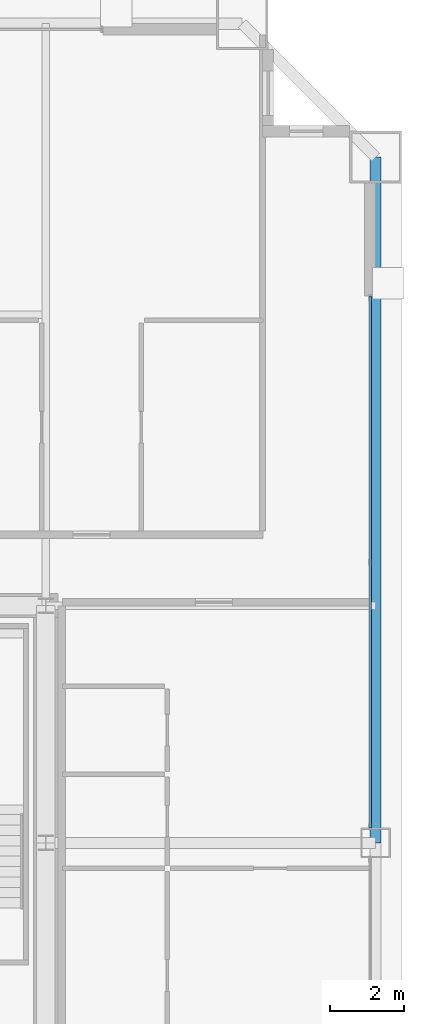
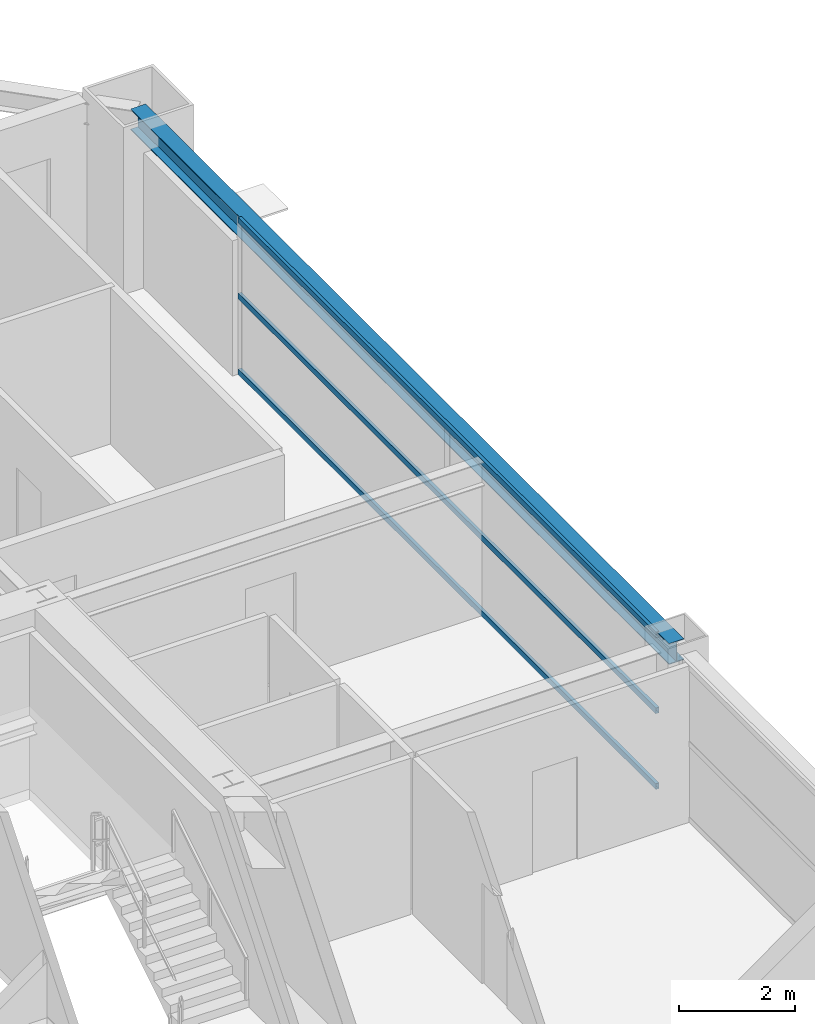
# One storey, part 22 of 38: 3 members, 1 beam, 1 element without a shape of its own.
"""IFC4 building model written with IfcOpenShell, lengths in metres."""

from ifc_helpers import new_model, si_unit, direction, frame, origin, origin_2d, place, context, subcontext, project, spatial, hollow_rectangle, i_section, extrude, source, transform, mapped, material, layer, layer_set, material_profile, profile_set, type_object, element, aggregate, save


model = new_model("IFC4")

# Units and contexts
model_context = context("Model", 3, precision=1e-05, world=origin(), true_north=direction((0.0, 1.0)))
body_context = subcontext(model_context, "Body", "Model", "MODEL_VIEW")
ifc_project = project(units=[si_unit("LENGTHUNIT", "METRE"), si_unit("AREAUNIT", "SQUARE_METRE"), si_unit("VOLUMEUNIT", "CUBIC_METRE"), si_unit("PLANEANGLEUNIT", "RADIAN"), si_unit("MASSUNIT", "GRAM", prefix="KILO"), si_unit("THERMODYNAMICTEMPERATUREUNIT", "KELVIN"), si_unit("POWERUNIT", "WATT")], contexts=[model_context])

# Site, building, storey
site_placement = place(None, origin())
site = spatial("IfcSite", under=ifc_project, at=site_placement, CompositionType="ELEMENT")
building_placement = place(site_placement, origin())
building = spatial("IfcBuilding", under=site, at=building_placement, Name="Yuzanri Waterfront Tower", CompositionType="ELEMENT")
storey_placement = place(building_placement, frame((0.0, 0.0, 181.0)))
storey = spatial("IfcBuildingStorey", under=building, at=storey_placement, Name="L47", CompositionType="ELEMENT", Elevation=181.0)

# Beam
ifc_material_1 = material(Name="Steel Q355B", Category="steel")
ifc_material_profile_1 = material_profile(ifc_material_1, i_section(OverallWidth=0.300048828125, OverallDepth=0.43994140625, WebThickness=0.010986328125, FlangeThickness=0.01806640625, at=origin_2d()), Name="HM 440x300x11x18")
ifc_profile_set_1 = profile_set([ifc_material_profile_1], Name="Steel Q355B")
beam_type = type_object("IfcBeamType", Name="Perimeter Spandrel Q355B HM 440x300", PredefinedType="SPANDREL", material=ifc_profile_set_1)
shared_shape_1 = source(origin(), body_context, "Body", "SweptSolid", [
    extrude(i_section(OverallWidth=0.300048828125, OverallDepth=0.43994140625, WebThickness=0.010986328125, FlangeThickness=0.01806640625, at=origin_2d()), origin(), (0.0, 0.0, 1.0), 18.5),
])
beam_placement = place(storey_placement, frame((59.10009765625, 25.800048828125, 3.06005859375), z_axis=(0.0, 1.0, 0.0), x_axis=(-1.0, 0.0, 0.0)))
element("IfcBeam", 1, at=beam_placement, inside=storey, type_object=beam_type, Name="L47 Perimeter Spandrel E2-E3", PredefinedType="SPANDREL", context=body_context, shape_type="MappedRepresentation", body=[
    mapped(shared_shape_1, transform((0.0, 0.0, 0.0), scale=1.0)),
])

# Curtain wall, members
ifc_material_2 = material(Name="Anodized Architectural Bronze", Category="metal")
ifc_layer = layer(ifc_material_2, 0.159912109375)
ifc_layer_set = layer_set([ifc_layer], Name="Anodized Architectural Bronze")
curtain_wall_type = type_object("IfcCurtainWallType", Name="Anodized Bronze Mid-Rise Residential Acoustic Unitized Curtain Wall 7200", PredefinedType="NOTDEFINED", material=ifc_layer_set)
curtain_wall_placement = place(storey_placement, origin())
curtain_wall = element("IfcCurtainWall", 2, at=curtain_wall_placement, inside=storey, type_object=curtain_wall_type, Name="L47 Curtain Wall CW-L47-ER", PredefinedType="NOTDEFINED")
ifc_material_3 = material(Name="Anodized Architectural Bronze", Category="metal")
ifc_material_profile_2 = material_profile(ifc_material_3, hollow_rectangle(XDim=0.06494140625, YDim=0.1201171875, WallThickness=0.00341796875, at=origin_2d()), Name="CWT 65x120")
ifc_profile_set_2 = profile_set([ifc_material_profile_2], Name="Anodized Architectural Bronze")
member_type = type_object("IfcMemberType", Name="Anodized Bronze Secondary Curtain-Wall Transom 65x120", PredefinedType="USERDEFINED", material=ifc_profile_set_2)
shared_shape_2 = source(origin(), body_context, "Body", "SweptSolid", [
    extrude(hollow_rectangle(XDim=0.06494140625, YDim=0.1201171875, WallThickness=0.00341796875, at=origin_2d()), origin(), (0.0, 0.0, 1.0), 14.35009765625),
])
member_1_placement = place(storey_placement, frame((58.949951171875, 26.199951171875, 0.050048828125), z_axis=(0.0, 1.0, 0.0), x_axis=(-1.0, 0.0, 0.0)))
member_1 = element("IfcMember", 3, at=member_1_placement, type_object=member_type, Name="CW-L47-ER Transom 1", ObjectType="TRANSOM", PredefinedType="USERDEFINED", context=body_context, shape_type="MappedRepresentation", body=[
    mapped(shared_shape_2, transform((0.0, 0.0, 0.0), scale=1.0)),
])
member_2_placement = place(storey_placement, frame((58.949951171875, 26.199951171875, 1.639892578125), z_axis=(0.0, 1.0, 0.0), x_axis=(-1.0, 0.0, 0.0)))
member_2 = element("IfcMember", 4, at=member_2_placement, type_object=member_type, Name="CW-L47-ER Transom 2", ObjectType="TRANSOM", PredefinedType="USERDEFINED", context=body_context, shape_type="MappedRepresentation", body=[
    mapped(shared_shape_2, transform((0.0, 0.0, 0.0), scale=1.0)),
])
member_3_placement = place(storey_placement, frame((58.949951171875, 26.199951171875, 3.22998046875), z_axis=(0.0, 1.0, 0.0), x_axis=(-1.0, 0.0, 0.0)))
member_3 = element("IfcMember", 5, at=member_3_placement, type_object=member_type, Name="CW-L47-ER Transom 3", ObjectType="TRANSOM", PredefinedType="USERDEFINED", context=body_context, shape_type="MappedRepresentation", body=[
    mapped(shared_shape_2, transform((0.0, 0.0, 0.0), scale=1.0)),
])
aggregate(curtain_wall, [member_1, member_2, member_3])

save(model, "model.ifc")
